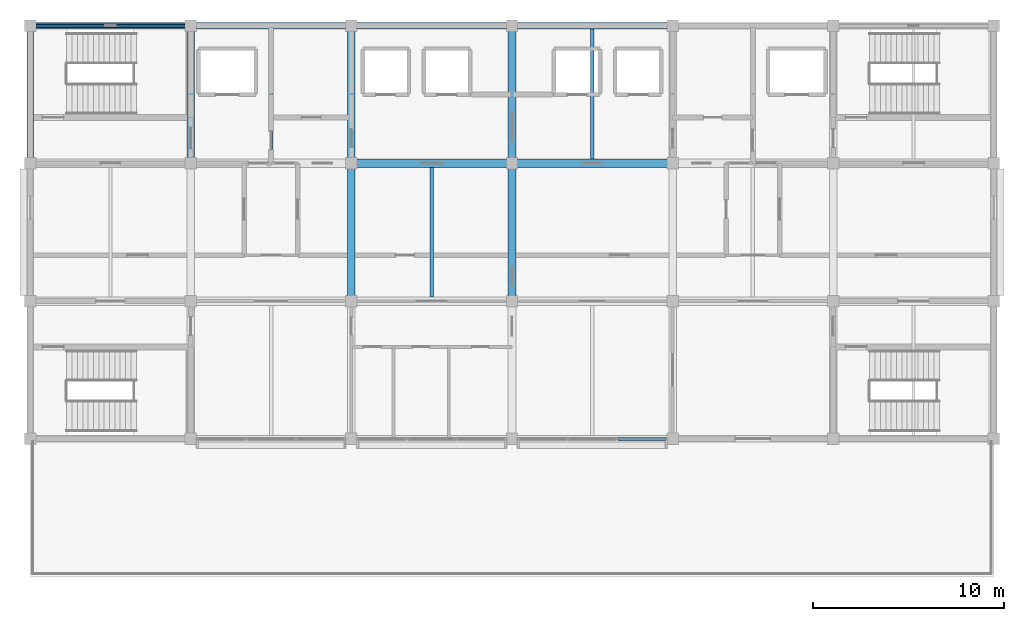
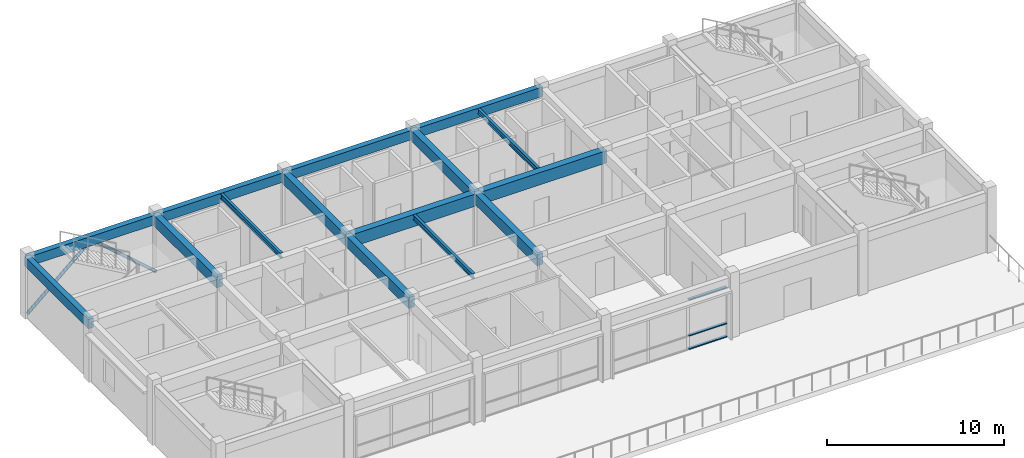
# One storey, part 3 of 11: 15 beams, 5 members, 1 element without a shape of its own.
"""IFC4 building model written with IfcOpenShell, lengths in metres."""

from ifc_helpers import new_model, si_unit, direction, frame, origin, origin_2d, place, context, subcontext, project, spatial, rectangle, hollow_circle, i_section, extrude, material, layer, layer_set, material_profile, profile_set, type_object, element, aggregate, save


model = new_model("IFC4")

# Units and contexts
model_context = context("Model", 3, precision=1e-05, world=origin(), true_north=direction((0.0, 1.0)))
body_context = subcontext(model_context, "Body", "Model", "MODEL_VIEW")
ifc_project = project(units=[si_unit("LENGTHUNIT", "METRE"), si_unit("AREAUNIT", "SQUARE_METRE"), si_unit("VOLUMEUNIT", "CUBIC_METRE"), si_unit("PLANEANGLEUNIT", "RADIAN"), si_unit("MASSUNIT", "GRAM", prefix="KILO")], contexts=[model_context])

# Site, building, storey
site_placement = place(None, origin())
site = spatial("IfcSite", under=ifc_project, at=site_placement, CompositionType="ELEMENT")
building_placement = place(site_placement, origin())
building = spatial("IfcBuilding", under=site, at=building_placement, Name="Chengyuan Square Courthouse", CompositionType="ELEMENT")
storey_placement = place(building_placement, frame((0.0, 0.0, 68.699951171875)))
storey = spatial("IfcBuildingStorey", under=building, at=storey_placement, Name="L16", CompositionType="ELEMENT", Elevation=68.699951171875)

# Beams
ifc_material_1 = material(Name="Concrete C40", Category="concrete")
ifc_material_profile_1 = material_profile(ifc_material_1, rectangle(XDim=0.449951171875, YDim=0.85009765625, at=origin_2d()), Name="RC-BM-450x850")
ifc_profile_set_1 = profile_set([ifc_material_profile_1], Name="Concrete C40")
beam_type_1 = type_object("IfcBeamType", Name="BM-01", PredefinedType="USERDEFINED", material=ifc_profile_set_1)
for number, where, z_axis, x_axis, name in (
    (1, (75.60009765625, 100.800048828125, 3.695068359375), (1.0, 0.0, 0.0), (0.0, 1.0, 0.0), "Girder BM-L16-4572"),
    (2, (84.0, 100.800048828125, 3.695068359375), (1.0, 0.0, 0.0), (0.0, 1.0, 0.0), "Girder BM-L16-4573"),
):
    element("IfcBeam", number, at=place(storey_placement, frame(where, z_axis=z_axis, x_axis=x_axis)), inside=storey, type_object=beam_type_1, Name=name, ObjectType="GIRDER", PredefinedType="USERDEFINED", context=body_context, shape_type="SweptSolid", body=[
        extrude(rectangle(XDim=0.449951171875, YDim=0.85009765625, at=origin_2d()), origin(), (0.0, 0.0, 1.0), 8.39990234375),
    ])
ifc_material_profile_2 = material_profile(ifc_material_1, rectangle(XDim=0.39990234375, YDim=0.75, at=origin_2d()), Name="RC-BM-400x750")
ifc_profile_set_2 = profile_set([ifc_material_profile_2], Name="Concrete C40")
beam_type_2 = type_object("IfcBeamType", Name="BM-02", PredefinedType="USERDEFINED", material=ifc_profile_set_2)
for number, where, z_axis, x_axis, name in (
    (3, (67.199951171875, 100.800048828125, 3.7451171875), (0.0, 1.0, 0.0), (-1.0, 0.0, 0.0), "Girder BM-L16-4587"),
    (4, (75.60009765625, 93.60009765625, 3.7451171875), (0.0, 1.0, 0.0), (-1.0, 0.0, 0.0), "Girder BM-L16-4589"),
    (5, (75.60009765625, 100.800048828125, 3.7451171875), (0.0, 1.0, 0.0), (-1.0, 0.0, 0.0), "Girder BM-L16-4590"),
    (6, (84.0, 93.60009765625, 3.7451171875), (0.0, 1.0, 0.0), (-1.0, 0.0, 0.0), "Girder BM-L16-4592"),
    (7, (84.0, 100.800048828125, 3.7451171875), (0.0, 1.0, 0.0), (-1.0, 0.0, 0.0), "Girder BM-L16-4593"),
):
    element("IfcBeam", number, at=place(storey_placement, frame(where, z_axis=z_axis, x_axis=x_axis)), inside=storey, type_object=beam_type_2, Name=name, ObjectType="GIRDER", PredefinedType="USERDEFINED", context=body_context, shape_type="SweptSolid", body=[
        extrude(rectangle(XDim=0.39990234375, YDim=0.75, at=origin_2d()), origin(), (0.0, 0.0, 1.0), 7.199951171875),
    ])
ifc_material_profile_3 = material_profile(ifc_material_1, rectangle(XDim=0.35009765625, YDim=0.64990234375, at=origin_2d()), Name="RC-BM-350x650")
ifc_profile_set_3 = profile_set([ifc_material_profile_3], Name="Concrete C40")
beam_type_3 = type_object("IfcBeamType", Name="BM-03", PredefinedType="SPANDREL", material=ifc_profile_set_3)
beam_1_placement = place(storey_placement, frame((58.800048828125, 108.0, 3.795166015625), z_axis=(1.0, 0.0, 0.0), x_axis=(0.0, 1.0, 0.0)))
element("IfcBeam", 8, at=beam_1_placement, inside=storey, type_object=beam_type_3, Name="Girder BM-L16-4576", PredefinedType="SPANDREL", context=body_context, shape_type="SweptSolid", body=[
    extrude(rectangle(XDim=0.35009765625, YDim=0.64990234375, at=origin_2d()), origin(), (0.0, 0.0, 1.0), 8.39990234375),
])
beam_2_placement = place(storey_placement, frame((67.199951171875, 108.0, 3.795166015625), z_axis=(1.0, 0.0, 0.0), x_axis=(0.0, 1.0, 0.0)))
element("IfcBeam", 9, at=beam_2_placement, inside=storey, type_object=beam_type_3, Name="Girder BM-L16-4577", PredefinedType="SPANDREL", context=body_context, shape_type="SweptSolid", body=[
    extrude(rectangle(XDim=0.35009765625, YDim=0.64990234375, at=origin_2d()), origin(), (0.0, 0.0, 1.0), 8.400146484375),
])
for number, where, z_axis, x_axis, name in (
    (10, (75.60009765625, 108.0, 3.795166015625), (1.0, 0.0, 0.0), (0.0, 1.0, 0.0), "Girder BM-L16-4578"),
    (11, (84.0, 108.0, 3.795166015625), (1.0, 0.0, 0.0), (0.0, 1.0, 0.0), "Girder BM-L16-4579"),
):
    element("IfcBeam", number, at=place(storey_placement, frame(where, z_axis=z_axis, x_axis=x_axis)), inside=storey, type_object=beam_type_3, Name=name, PredefinedType="SPANDREL", context=body_context, shape_type="SweptSolid", body=[
        extrude(rectangle(XDim=0.35009765625, YDim=0.64990234375, at=origin_2d()), origin(), (0.0, 0.0, 1.0), 8.39990234375),
    ])
beam_3_placement = place(storey_placement, frame((58.800048828125, 100.800048828125, 3.795166015625), z_axis=(0.0, 1.0, 0.0), x_axis=(-1.0, 0.0, 0.0)))
element("IfcBeam", 12, at=beam_3_placement, inside=storey, type_object=beam_type_3, Name="Girder BM-L16-4584", PredefinedType="SPANDREL", context=body_context, shape_type="SweptSolid", body=[
    extrude(rectangle(XDim=0.35009765625, YDim=0.64990234375, at=origin_2d()), origin(), (0.0, 0.0, 1.0), 7.199951171875),
])
ifc_material_2 = material(Name="Steel Q355B", Category="steel")
ifc_material_profile_4 = material_profile(ifc_material_2, i_section(OverallWidth=0.175048828125, OverallDepth=0.35009765625, WebThickness=0.007080078125, FlangeThickness=0.010986328125, at=origin_2d()), Name="HN 350x175x7x11")
ifc_profile_set_4 = profile_set([ifc_material_profile_4], Name="Steel Q355B")
beam_type_4 = type_object("IfcBeamType", Name="BM-08", PredefinedType="BEAM", material=ifc_profile_set_4)
beam_4_placement = place(storey_placement, frame((71.39990234375, 101.02490234375, 3.945068359375), z_axis=(0.0, 1.0, 0.0), x_axis=(-1.0, 0.0, 0.0)))
element("IfcBeam", 13, at=beam_4_placement, inside=storey, type_object=beam_type_4, Name="Secondary Floor Beam SBM-L16-4605", PredefinedType="BEAM", context=body_context, shape_type="SweptSolid", body=[
    extrude(i_section(OverallWidth=0.175048828125, OverallDepth=0.35009765625, WebThickness=0.007080078125, FlangeThickness=0.010986328125, at=origin_2d()), origin(), (0.0, 0.0, 1.0), 6.800048828125),
])
beam_5_placement = place(storey_placement, frame((79.800048828125, 93.824951171875, 3.945068359375), z_axis=(0.0, 1.0, 0.0), x_axis=(-1.0, 0.0, 0.0)))
element("IfcBeam", 14, at=beam_5_placement, inside=storey, type_object=beam_type_4, Name="Secondary Floor Beam SBM-L16-4606", PredefinedType="BEAM", context=body_context, shape_type="SweptSolid", body=[
    extrude(i_section(OverallWidth=0.175048828125, OverallDepth=0.35009765625, WebThickness=0.007080078125, FlangeThickness=0.010986328125, at=origin_2d()), origin(), (0.0, 0.0, 1.0), 6.75),
])
beam_6_placement = place(storey_placement, frame((88.199951171875, 101.02490234375, 3.945068359375), z_axis=(0.0, 1.0, 0.0), x_axis=(-1.0, 0.0, 0.0)))
element("IfcBeam", 15, at=beam_6_placement, inside=storey, type_object=beam_type_4, Name="Secondary Floor Beam SBM-L16-4608", PredefinedType="BEAM", context=body_context, shape_type="SweptSolid", body=[
    extrude(i_section(OverallWidth=0.175048828125, OverallDepth=0.35009765625, WebThickness=0.007080078125, FlangeThickness=0.010986328125, at=origin_2d()), origin(), (0.0, 0.0, 1.0), 6.800048828125),
])

# Members
ifc_material_profile_5 = material_profile(ifc_material_2, hollow_circle(Radius=0.109619140625, WallThickness=0.008056640625, at=origin_2d()), Name="CHS 219x8")
ifc_profile_set_5 = profile_set([ifc_material_profile_5], Name="Steel Q355B")
member_type_1 = type_object("IfcMemberType", Name="BR-02", PredefinedType="BRACE", material=ifc_profile_set_5)
for number, where, z_axis, x_axis, name in (
    (16, (58.800048828125, 108.0, 0.10009765625), (0.753023933517, 0.0, 0.657993127282), (0.0, 1.0, 0.0), "Steel Chevron Brace BR-L16-061"),
    (17, (67.199951171875, 108.0, 0.10009765625), (-0.753023933517, 0.0, 0.657993127282), (0.0, -1.0, 0.0), "Steel Chevron Brace BR-L16-062"),
):
    element("IfcMember", number, at=place(storey_placement, frame(where, z_axis=z_axis, x_axis=x_axis)), inside=storey, type_object=member_type_1, Name=name, PredefinedType="BRACE", context=body_context, shape_type="SweptSolid", body=[
        extrude(hollow_circle(Radius=0.109619140625, WallThickness=0.008056640625, at=origin_2d()), origin(), (0.0, 0.0, 1.0), 5.577392578125),
    ])

# Curtain wall, members
ifc_material_3 = material(Name="Unitised Aluminium and Triple Low-E Glass", Category="aluminium")
ifc_layer = layer(ifc_material_3, 0.179931640625)
ifc_layer_set = layer_set([ifc_layer], Name="Unitised Aluminium and Triple Low-E Glass")
curtain_wall_type = type_object("IfcCurtainWallType", Name="CW-22", PredefinedType="USERDEFINED", material=ifc_layer_set)
curtain_wall_placement = place(storey_placement, origin())
curtain_wall = element("IfcCurtainWall", 18, at=curtain_wall_placement, inside=storey, type_object=curtain_wall_type, Name="Unitised Curtain Wall CW-L16-284", ObjectType="UNITISED CURTAIN WALL", PredefinedType="USERDEFINED")
ifc_material_4 = material(Name="Aluminium 6063-T6 Frame", Category="aluminium")
ifc_material_profile_6 = material_profile(ifc_material_4, rectangle(XDim=0.179931640625, YDim=0.06494140625, at=origin_2d()), Name="CW-TRN-65x140")
ifc_profile_set_6 = profile_set([ifc_material_profile_6], Name="Aluminium 6063-T6 Frame")
member_type_2 = type_object("IfcMemberType", Name="CWT-02", PredefinedType="USERDEFINED", material=ifc_profile_set_6)
member_1_placement = place(storey_placement, frame((89.532470703125, 86.39990234375, 0.032470703125), z_axis=(1.0, 0.0, 0.0), x_axis=(0.0, 1.0, 0.0)))
member_1 = element("IfcMember", 19, at=member_1_placement, type_object=member_type_2, Name="CW-22 transom 3.1", ObjectType="TRANSOM", PredefinedType="USERDEFINED", context=body_context, shape_type="SweptSolid", body=[
    extrude(rectangle(XDim=0.179931640625, YDim=0.06494140625, at=origin_2d()), origin(), (0.0, 0.0, 1.0), 2.50244140625),
])
member_2_placement = place(storey_placement, frame((89.532470703125, 86.39990234375, 0.949951171875), z_axis=(1.0, 0.0, 0.0), x_axis=(0.0, 1.0, 0.0)))
member_2 = element("IfcMember", 20, at=member_2_placement, type_object=member_type_2, Name="CW-22 transom 3.2", ObjectType="TRANSOM", PredefinedType="USERDEFINED", context=body_context, shape_type="SweptSolid", body=[
    extrude(rectangle(XDim=0.179931640625, YDim=0.06494140625, at=origin_2d()), origin(), (0.0, 0.0, 1.0), 2.50244140625),
])
member_3_placement = place(storey_placement, frame((89.532470703125, 86.39990234375, 3.4375), z_axis=(1.0, 0.0, 0.0), x_axis=(0.0, 1.0, 0.0)))
member_3 = element("IfcMember", 21, at=member_3_placement, type_object=member_type_2, Name="CW-22 transom 3.3", ObjectType="TRANSOM", PredefinedType="USERDEFINED", context=body_context, shape_type="SweptSolid", body=[
    extrude(rectangle(XDim=0.179931640625, YDim=0.06494140625, at=origin_2d()), origin(), (0.0, 0.0, 1.0), 2.50244140625),
])
aggregate(curtain_wall, [member_1, member_2, member_3])

save(model, "model.ifc")
